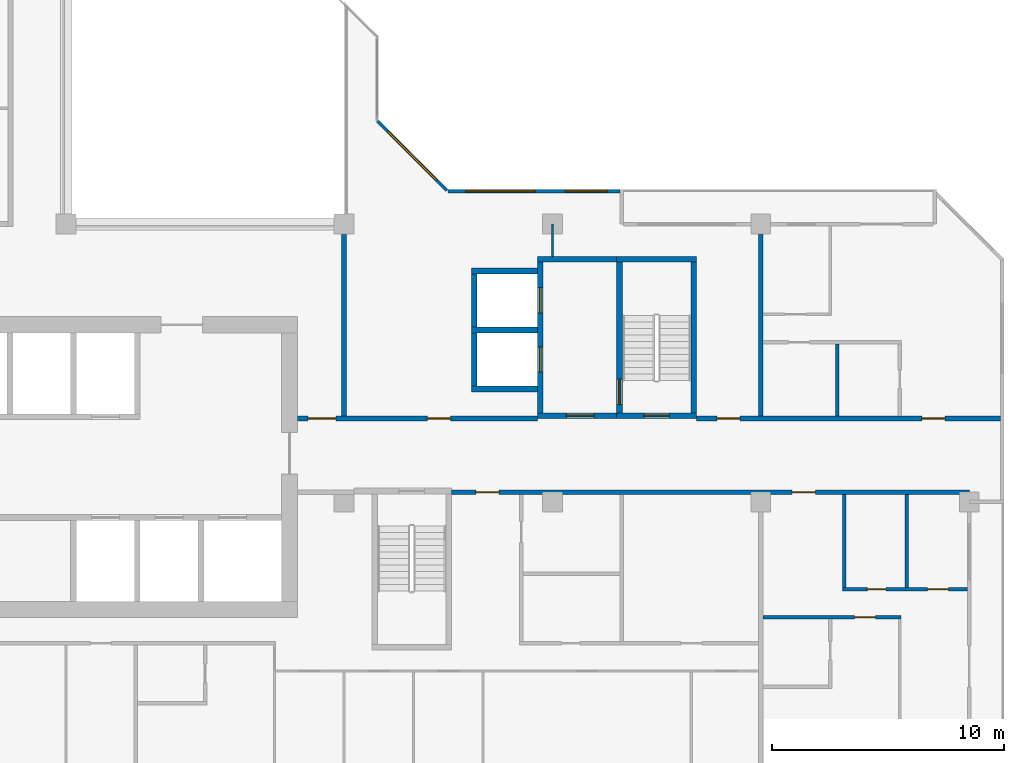
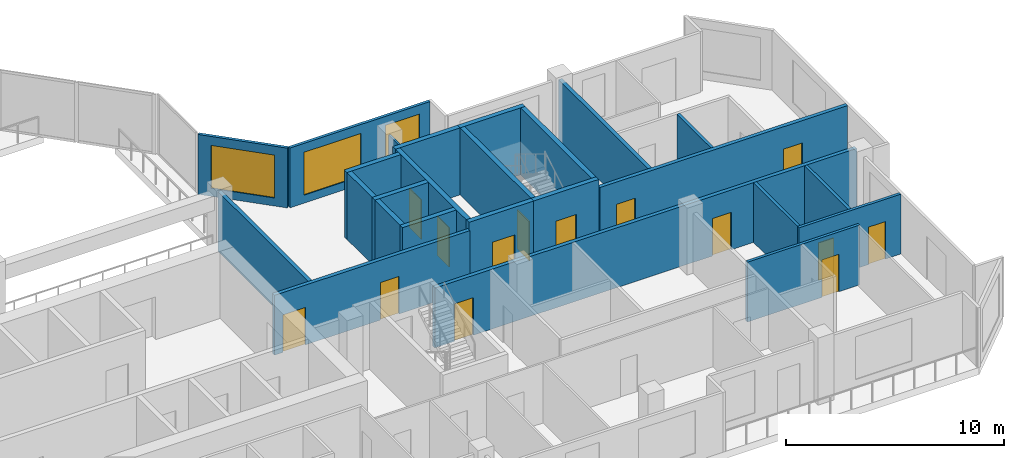
# One storey, part 7 of 14: 25 walls, 14 doors, 3 windows, 17 openings.
"""IFC4 building model written with IfcOpenShell, lengths in metres."""

from ifc_helpers import new_model, si_unit, direction, frame, frame_2d, origin, place, context, subcontext, project, spatial, rectangle, extrude, material, layer, layer_set, type_object, element, fill, save


model = new_model("IFC4")

# Units and contexts
model_context = context("Model", 3, precision=1e-05, world=origin(), true_north=direction((0.0, 1.0)))
body_context = subcontext(model_context, "Body", "Model", "MODEL_VIEW")
ifc_project = project(units=[si_unit("LENGTHUNIT", "METRE"), si_unit("AREAUNIT", "SQUARE_METRE"), si_unit("VOLUMEUNIT", "CUBIC_METRE"), si_unit("PLANEANGLEUNIT", "RADIAN"), si_unit("MASSUNIT", "GRAM", prefix="KILO")], contexts=[model_context])

# Site, building, storey
site_placement = place(None, origin())
site = spatial("IfcSite", under=ifc_project, at=site_placement, CompositionType="ELEMENT")
building_placement = place(site_placement, origin())
building = spatial("IfcBuilding", under=site, at=building_placement, Name="Chenar Terraces", CompositionType="ELEMENT")
storey_placement = place(building_placement, frame((0.0, 0.0, 241.64990234375)))
storey = spatial("IfcBuildingStorey", under=building, at=storey_placement, Name="L57", CompositionType="ELEMENT", Elevation=241.64990234375)

# Wall, opening, door
ifc_material_1 = material(Name="Concrete C60/75", Category="concrete")
ifc_layer_1 = layer(ifc_material_1, 0.25)
ifc_layer_set_1 = layer_set([ifc_layer_1], Name="Concrete C60/75")
wall_type_1 = type_object("IfcWallType", Name="Core wall 250 Concrete C60/75", PredefinedType="SHEAR", material=ifc_layer_set_1)
wall_1_placement = place(storey_placement, frame((47.77490234375, 15.72509765625, 0.0), z_axis=(0.0, 0.0, 1.0), x_axis=(1.0, 0.0, 0.0)))
wall_1 = element("IfcWall", 1, at=wall_1_placement, inside=storey, type_object=wall_type_1, Name="Core wall ST3_S L57", PredefinedType="SHEAR", context=body_context, shape_type="SweptSolid", body=[
    extrude(rectangle(XDim=3.4501953125, YDim=0.25, at=frame_2d((1.72509765625, 0.0))), origin(), (0.0, 0.0, 1.0), 3.75),
])
opening_1_placement = place(wall_1_placement, frame((1.175048828125, 0.0, 0.0)))
opening_1 = element("IfcOpeningElement", 2, at=opening_1_placement, cuts=wall_1, Name="Opening DL57-C8", PredefinedType="OPENING", context=body_context, shape_type="SweptSolid", body=[
    extrude(rectangle(XDim=1.10009765625, YDim=2.199951171875, at=frame_2d((0.550048828125, 1.10009765625))), frame((0.0, 0.135009765625, 0.0), z_axis=(0.0, -1.0, 0.0), x_axis=(1.0, 0.0, 0.0)), (0.0, 0.0, 1.0), 0.27001953125),
])
ifc_material_2 = material(Name="Steel-framed fire-resisting door leaf", Category="steel")
door_type_1 = type_object("IfcDoorType", Name="Stair fire door FD60 1100 x 2200", OperationType="SINGLE_SWING_LEFT", PredefinedType="DOOR", material=ifc_material_2)
door_1_placement = place(opening_1_placement, frame((1.10009765625, 0.0, 0.0), z_axis=(0.0, 0.0, 1.0), x_axis=(-1.0, 0.0, 0.0)))
door_1 = element("IfcDoor", 3, at=door_1_placement, inside=storey, type_object=door_type_1, Name="Stair door DL57-C8", OperationType="SINGLE_SWING_LEFT", OverallHeight=2.199951171875, OverallWidth=1.10009765625, PredefinedType="DOOR", context=body_context, shape_type="SweptSolid", body=[
    extrude(rectangle(XDim=1.10009765625, YDim=2.199951171875, at=frame_2d((0.550048828125, 1.10009765625))), frame((0.0, 0.02490234375, 0.0), z_axis=(0.0, -1.0, 0.0), x_axis=(1.0, 0.0, 0.0)), (0.0, 0.0, 1.0), 0.050048828125),
])
fill(opening_1, door_1)

# Wall
wall_2_placement = place(storey_placement, frame((47.77490234375, 22.47509765625, 0.0), z_axis=(0.0, 0.0, 1.0), x_axis=(1.0, 0.0, 0.0)))
element("IfcWall", 4, at=wall_2_placement, inside=storey, type_object=wall_type_1, Name="Core wall ST3_N L57", PredefinedType="SHEAR", context=body_context, shape_type="SweptSolid", body=[
    extrude(rectangle(XDim=3.4501953125, YDim=0.25, at=frame_2d((1.72509765625, 0.0))), origin(), (0.0, 0.0, 1.0), 3.75),
])

# Wall, opening, door
wall_3_placement = place(storey_placement, frame((47.89990234375, 15.85009765625, 0.0), z_axis=(0.0, 0.0, 1.0), x_axis=(0.0, 1.0, 0.0)))
wall_3 = element("IfcWall", 5, at=wall_3_placement, inside=storey, type_object=wall_type_1, Name="Core wall ST3_W L57", PredefinedType="SHEAR", context=body_context, shape_type="SweptSolid", body=[
    extrude(rectangle(XDim=6.5, YDim=0.25, at=frame_2d((3.25, 0.0))), origin(), (0.0, 0.0, 1.0), 3.75),
])
opening_2_placement = place(wall_3_placement, frame((0.35009765625, 0.0, 0.0)))
opening_2 = element("IfcOpeningElement", 6, at=opening_2_placement, cuts=wall_3, Name="Opening DL57-C11", PredefinedType="OPENING", context=body_context, shape_type="SweptSolid", body=[
    extrude(rectangle(XDim=1.10009765625, YDim=2.199951171875, at=frame_2d((0.550048828125, 1.10009765625))), frame((0.0, 0.135009765625, 0.0), z_axis=(0.0, -1.0, 0.0), x_axis=(1.0, 0.0, 0.0)), (0.0, 0.0, 1.0), 0.27001953125),
])
door_2_placement = place(opening_2_placement, frame((1.10009765625, 0.0, 0.0), z_axis=(0.0, 0.0, 1.0), x_axis=(-1.0, 0.0, 0.0)))
door_2 = element("IfcDoor", 7, at=door_2_placement, inside=storey, type_object=door_type_1, Name="Stair door DL57-C11", OperationType="SINGLE_SWING_RIGHT", OverallHeight=2.199951171875, OverallWidth=1.10009765625, PredefinedType="DOOR", context=body_context, shape_type="SweptSolid", body=[
    extrude(rectangle(XDim=1.10009765625, YDim=2.199951171875, at=frame_2d((0.550048828125, 1.10009765625))), frame((0.0, 0.02490234375, 0.0), z_axis=(0.0, -1.0, 0.0), x_axis=(1.0, 0.0, 0.0)), (0.0, 0.0, 1.0), 0.050048828125),
])
fill(opening_2, door_2)

# Wall
wall_4_placement = place(storey_placement, frame((51.10009765625, 15.85009765625, 0.0), z_axis=(0.0, 0.0, 1.0), x_axis=(0.0, 1.0, 0.0)))
element("IfcWall", 8, at=wall_4_placement, inside=storey, type_object=wall_type_1, Name="Core wall ST3_E L57", PredefinedType="SHEAR", context=body_context, shape_type="SweptSolid", body=[
    extrude(rectangle(XDim=6.5, YDim=0.25, at=frame_2d((3.25, 0.0))), origin(), (0.0, 0.0, 1.0), 3.75),
])

# Wall, opening, door
wall_5_placement = place(storey_placement, frame((44.35009765625, 15.72509765625, 0.0), z_axis=(0.0, 0.0, 1.0), x_axis=(1.0, 0.0, 0.0)))
wall_5 = element("IfcWall", 9, at=wall_5_placement, inside=storey, type_object=wall_type_1, Name="Core wall F3_LS L57", PredefinedType="SHEAR", context=body_context, shape_type="SweptSolid", body=[
    extrude(rectangle(XDim=3.4248046875, YDim=0.25, at=frame_2d((1.71240234375, 0.0))), origin(), (0.0, 0.0, 1.0), 3.75),
])
opening_3_placement = place(wall_5_placement, frame((1.25, 0.0, 0.0)))
opening_3 = element("IfcOpeningElement", 10, at=opening_3_placement, cuts=wall_5, Name="Opening DL57-C10", PredefinedType="OPENING", context=body_context, shape_type="SweptSolid", body=[
    extrude(rectangle(XDim=1.199951171875, YDim=2.199951171875, at=frame_2d((0.60009765625, 1.10009765625))), frame((0.0, 0.135009765625, 0.0), z_axis=(0.0, -1.0, 0.0), x_axis=(1.0, 0.0, 0.0)), (0.0, 0.0, 1.0), 0.27001953125),
])
ifc_material_3 = material(Name="Steel-framed fire-resisting door leaf", Category="steel")
door_type_2 = type_object("IfcDoorType", Name="Lobby fire door FD60 1200 x 2200", OperationType="SINGLE_SWING_LEFT", PredefinedType="DOOR", material=ifc_material_3)
door_3_placement = place(opening_3_placement, origin())
door_3 = element("IfcDoor", 11, at=door_3_placement, inside=storey, type_object=door_type_2, Name="Core door DL57-C10", OperationType="SINGLE_SWING_RIGHT", OverallHeight=2.199951171875, OverallWidth=1.199951171875, PredefinedType="DOOR", context=body_context, shape_type="SweptSolid", body=[
    extrude(rectangle(XDim=1.199951171875, YDim=2.199951171875, at=frame_2d((0.60009765625, 1.10009765625))), frame((0.0, 0.02490234375, 0.0), z_axis=(0.0, -1.0, 0.0), x_axis=(1.0, 0.0, 0.0)), (0.0, 0.0, 1.0), 0.050048828125),
])
fill(opening_3, door_3)

# Wall
wall_6_placement = place(storey_placement, frame((44.35009765625, 22.47509765625, 0.0), z_axis=(0.0, 0.0, 1.0), x_axis=(1.0, 0.0, 0.0)))
element("IfcWall", 12, at=wall_6_placement, inside=storey, type_object=wall_type_1, Name="Core wall F3_LN L57", PredefinedType="SHEAR", context=body_context, shape_type="SweptSolid", body=[
    extrude(rectangle(XDim=3.4248046875, YDim=0.25, at=frame_2d((1.71240234375, 0.0))), origin(), (0.0, 0.0, 1.0), 3.75),
])

# Wall, openings, doors
wall_7_placement = place(storey_placement, frame((44.47509765625, 15.85009765625, 0.0), z_axis=(0.0, 0.0, 1.0), x_axis=(0.0, 1.0, 0.0)))
wall_7 = element("IfcWall", 13, at=wall_7_placement, inside=storey, type_object=wall_type_1, Name="Core wall F3_LW L57", PredefinedType="SHEAR", context=body_context, shape_type="SweptSolid", body=[
    extrude(rectangle(XDim=6.5, YDim=0.25, at=frame_2d((3.25, 0.0))), origin(), (0.0, 0.0, 1.0), 3.75),
])
opening_4_placement = place(wall_7_placement, frame((1.75, 0.0, 0.0)))
opening_4 = element("IfcOpeningElement", 14, at=opening_4_placement, cuts=wall_7, Name="Opening DL57-LD8", PredefinedType="OPENING", context=body_context, shape_type="SweptSolid", body=[
    extrude(rectangle(XDim=1.10009765625, YDim=2.199951171875, at=frame_2d((0.550048828125, 1.10009765625))), frame((0.0, 0.135009765625, 0.0), z_axis=(0.0, -1.0, 0.0), x_axis=(1.0, 0.0, 0.0)), (0.0, 0.0, 1.0), 0.27001953125),
])
opening_5_placement = place(wall_7_placement, frame((4.300048828125, 0.0, 0.0)))
opening_5 = element("IfcOpeningElement", 15, at=opening_5_placement, cuts=wall_7, Name="Opening DL57-LD9", PredefinedType="OPENING", context=body_context, shape_type="SweptSolid", body=[
    extrude(rectangle(XDim=1.10009765625, YDim=2.199951171875, at=frame_2d((0.550048828125, 1.10009765625))), frame((0.0, 0.135009765625, 0.0), z_axis=(0.0, -1.0, 0.0), x_axis=(1.0, 0.0, 0.0)), (0.0, 0.0, 1.0), 0.27001953125),
])
ifc_material_4 = material(Name="Stainless steel", Category="steel")
door_type_3 = type_object("IfcDoorType", Name="Lift landing door 1100 x 2200 sliding", OperationType="DOUBLE_DOOR_SLIDING", PredefinedType="DOOR", material=ifc_material_4)
door_4_placement = place(opening_4_placement, origin())
door_4 = element("IfcDoor", 16, at=door_4_placement, inside=storey, type_object=door_type_3, Name="Landing door F3", OperationType="DOUBLE_DOOR_SLIDING", OverallHeight=2.199951171875, OverallWidth=1.10009765625, PredefinedType="DOOR", context=body_context, shape_type="SweptSolid", body=[
    extrude(rectangle(XDim=1.10009765625, YDim=2.199951171875, at=frame_2d((0.550048828125, 1.10009765625))), frame((0.0, 0.02490234375, 0.0), z_axis=(0.0, -1.0, 0.0), x_axis=(1.0, 0.0, 0.0)), (0.0, 0.0, 1.0), 0.050048828125),
])
fill(opening_4, door_4)
door_5_placement = place(opening_5_placement, origin())
door_5 = element("IfcDoor", 17, at=door_5_placement, inside=storey, type_object=door_type_3, Name="Landing door F4", OperationType="DOUBLE_DOOR_SLIDING", OverallHeight=2.199951171875, OverallWidth=1.10009765625, PredefinedType="DOOR", context=body_context, shape_type="SweptSolid", body=[
    extrude(rectangle(XDim=1.10009765625, YDim=2.199951171875, at=frame_2d((0.550048828125, 1.10009765625))), frame((0.0, 0.02490234375, 0.0), z_axis=(0.0, -1.0, 0.0), x_axis=(1.0, 0.0, 0.0)), (0.0, 0.0, 1.0), 0.050048828125),
])
fill(opening_5, door_5)

# Walls
for number, where, z_axis, x_axis, name in (
    (18, (41.5, 16.875, 0.0), (0.0, 0.0, 1.0), (1.0, 0.0, 0.0), "Core wall F3_SS L57"),
    (19, (41.5, 19.425048828125, 0.0), (0.0, 0.0, 1.0), (1.0, 0.0, 0.0), "Core wall F3_SM L57"),
    (20, (41.5, 21.97509765625, 0.0), (0.0, 0.0, 1.0), (1.0, 0.0, 0.0), "Core wall F4_SN L57"),
):
    element("IfcWall", number, at=place(storey_placement, frame(where, z_axis=z_axis, x_axis=x_axis)), inside=storey, type_object=wall_type_1, Name=name, PredefinedType="SHEAR", context=body_context, shape_type="SweptSolid", body=[
        extrude(rectangle(XDim=2.85009765625, YDim=0.25, at=frame_2d((1.425048828125, 0.0))), origin(), (0.0, 0.0, 1.0), 3.75),
    ])
for number, where, z_axis, x_axis, name in (
    (21, (41.625, 17.0, 0.0), (0.0, 0.0, 1.0), (0.0, 1.0, 0.0), "Core wall F3_SW L57"),
    (22, (41.625, 19.550048828125, 0.0), (0.0, 0.0, 1.0), (0.0, 1.0, 0.0), "Core wall F4_SW L57"),
):
    element("IfcWall", number, at=place(storey_placement, frame(where, z_axis=z_axis, x_axis=x_axis)), inside=storey, type_object=wall_type_1, Name=name, PredefinedType="SHEAR", context=body_context, shape_type="SweptSolid", body=[
        extrude(rectangle(XDim=2.300048828125, YDim=0.25, at=frame_2d((1.14990234375, 0.0))), origin(), (0.0, 0.0, 1.0), 3.75),
    ])

# Wall, openings, doors
ifc_material_5 = material(Name="Gypsum board on steel studs with fire boards", Category="steel")
ifc_layer_2 = layer(ifc_material_5, 0.199951171875)
ifc_layer_set_2 = layer_set([ifc_layer_2], Name="Gypsum board on steel studs with fire boards")
wall_type_2 = type_object("IfcWallType", Name="Corridor wall 200", PredefinedType="PARTITIONING", material=ifc_layer_set_2)
wall_8_placement = place(storey_placement, frame((34.0, 15.60009765625, 0.0), z_axis=(0.0, 0.0, 1.0), x_axis=(1.0, 0.0, 0.0)))
wall_8 = element("IfcWall", 23, at=wall_8_placement, inside=storey, type_object=wall_type_2, Name="Partition L57-066", PredefinedType="PARTITIONING", context=body_context, shape_type="SweptSolid", body=[
    extrude(rectangle(XDim=10.35009765625, YDim=0.199951171875, at=frame_2d((5.175048828125, 0.0))), origin(), (0.0, 0.0, 1.0), 3.35009765625),
])
opening_6_placement = place(wall_8_placement, frame((5.60009765625, 0.0, 0.0)))
opening_6 = element("IfcOpeningElement", 24, at=opening_6_placement, cuts=wall_8, Name="Opening DL57-3", PredefinedType="OPENING", context=body_context, shape_type="SweptSolid", body=[
    extrude(rectangle(XDim=1.0, YDim=2.10009765625, at=frame_2d((0.5, 1.050048828125))), frame((0.0, 0.10986328125, 0.0), z_axis=(0.0, -1.0, 0.0), x_axis=(1.0, 0.0, 0.0)), (0.0, 0.0, 1.0), 0.219970703125),
])
opening_7_placement = place(wall_8_placement, frame((0.449951171875, 0.0, 0.0)))
opening_7 = element("IfcOpeningElement", 25, at=opening_7_placement, cuts=wall_8, Name="Opening DL57-36", PredefinedType="OPENING", context=body_context, shape_type="SweptSolid", body=[
    extrude(rectangle(XDim=1.199951171875, YDim=2.10009765625, at=frame_2d((0.60009765625, 1.050048828125))), frame((0.0, 0.10986328125, 0.0), z_axis=(0.0, -1.0, 0.0), x_axis=(1.0, 0.0, 0.0)), (0.0, 0.0, 1.0), 0.219970703125),
])
ifc_material_6 = material(Name="Steel-framed fire-resisting door leaf", Category="steel")
door_type_4 = type_object("IfcDoorType", Name="Fire door FD60 1000 x 2100", OperationType="SINGLE_SWING_LEFT", PredefinedType="DOOR", material=ifc_material_6)
door_6_placement = place(opening_6_placement, origin())
door_6 = element("IfcDoor", 26, at=door_6_placement, inside=storey, type_object=door_type_4, Name="Door DL57-3", OperationType="SINGLE_SWING_RIGHT", OverallHeight=2.10009765625, OverallWidth=1.0, PredefinedType="DOOR", context=body_context, shape_type="SweptSolid", body=[
    extrude(rectangle(XDim=1.0, YDim=2.10009765625, at=frame_2d((0.5, 1.050048828125))), frame((0.0, 0.02490234375, 0.0), z_axis=(0.0, -1.0, 0.0), x_axis=(1.0, 0.0, 0.0)), (0.0, 0.0, 1.0), 0.050048828125),
])
fill(opening_6, door_6)
ifc_material_7 = material(Name="Steel-framed fire-resisting door leaf", Category="steel")
door_type_5 = type_object("IfcDoorType", Name="Fire door FD60 1200 x 2100", OperationType="SINGLE_SWING_LEFT", PredefinedType="DOOR", material=ifc_material_7)
door_7_placement = place(opening_7_placement, origin())
door_7 = element("IfcDoor", 27, at=door_7_placement, inside=storey, type_object=door_type_5, Name="Door DL57-36", OperationType="SINGLE_SWING_RIGHT", OverallHeight=2.10009765625, OverallWidth=1.199951171875, PredefinedType="DOOR", context=body_context, shape_type="SweptSolid", body=[
    extrude(rectangle(XDim=1.199951171875, YDim=2.10009765625, at=frame_2d((0.60009765625, 1.050048828125))), frame((0.0, 0.02490234375, 0.0), z_axis=(0.0, -1.0, 0.0), x_axis=(1.0, 0.0, 0.0)), (0.0, 0.0, 1.0), 0.050048828125),
])
fill(opening_7, door_7)

# Wall
wall_9_placement = place(storey_placement, frame((36.0, 15.699951171875, 0.0), z_axis=(0.0, 0.0, 1.0), x_axis=(0.0, 1.0, 0.0)))
element("IfcWall", 28, at=wall_9_placement, inside=storey, type_object=wall_type_2, Name="Partition L57-068", PredefinedType="PARTITIONING", context=body_context, shape_type="SweptSolid", body=[
    extrude(rectangle(XDim=8.300048828125, YDim=0.199951171875, at=frame_2d((4.14990234375, 0.0))), origin(), (0.0, 0.0, 1.0), 3.35009765625),
])

# Wall, openings, doors
wall_10_placement = place(storey_placement, frame((40.64990234375, 12.425048828125, 0.0), z_axis=(0.0, 0.0, 1.0), x_axis=(1.0, 0.0, 0.0)))
wall_10 = element("IfcWall", 29, at=wall_10_placement, inside=storey, type_object=wall_type_2, Name="Partition L57-070", PredefinedType="PARTITIONING", context=body_context, shape_type="SweptSolid", body=[
    extrude(rectangle(XDim=22.35009765625, YDim=0.199951171875, at=frame_2d((11.175048828125, 0.0))), origin(), (0.0, 0.0, 1.0), 3.35009765625),
])
opening_8_placement = place(wall_10_placement, frame((14.699951171875, 0.0, 0.0)))
opening_8 = element("IfcOpeningElement", 30, at=opening_8_placement, cuts=wall_10, Name="Opening DL57-12", PredefinedType="OPENING", context=body_context, shape_type="SweptSolid", body=[
    extrude(rectangle(XDim=1.0, YDim=2.10009765625, at=frame_2d((0.5, 1.050048828125))), frame((0.0, 0.10986328125, 0.0), z_axis=(0.0, -1.0, 0.0), x_axis=(1.0, 0.0, 0.0)), (0.0, 0.0, 1.0), 0.219970703125),
])
opening_9_placement = place(wall_10_placement, frame((1.050048828125, 0.0, 0.0)))
opening_9 = element("IfcOpeningElement", 31, at=opening_9_placement, cuts=wall_10, Name="Opening DL57-53", PredefinedType="OPENING", context=body_context, shape_type="SweptSolid", body=[
    extrude(rectangle(XDim=1.0, YDim=2.10009765625, at=frame_2d((0.5, 1.050048828125))), frame((0.0, 0.10986328125, 0.0), z_axis=(0.0, -1.0, 0.0), x_axis=(1.0, 0.0, 0.0)), (0.0, 0.0, 1.0), 0.219970703125),
])
ifc_material_8 = material(Name="Steel-framed fire-resisting door leaf", Category="steel")
door_type_6 = type_object("IfcDoorType", Name="Fire door FD30S 1000 x 2100", OperationType="SINGLE_SWING_LEFT", PredefinedType="DOOR", material=ifc_material_8)
door_8_placement = place(opening_8_placement, frame((1.0, 0.0, 0.0), z_axis=(0.0, 0.0, 1.0), x_axis=(-1.0, 0.0, 0.0)))
door_8 = element("IfcDoor", 32, at=door_8_placement, inside=storey, type_object=door_type_6, Name="Door DL57-12", OperationType="SINGLE_SWING_RIGHT", OverallHeight=2.10009765625, OverallWidth=1.0, PredefinedType="DOOR", context=body_context, shape_type="SweptSolid", body=[
    extrude(rectangle(XDim=1.0, YDim=2.10009765625, at=frame_2d((0.5, 1.050048828125))), frame((0.0, 0.02490234375, 0.0), z_axis=(0.0, -1.0, 0.0), x_axis=(1.0, 0.0, 0.0)), (0.0, 0.0, 1.0), 0.050048828125),
])
fill(opening_8, door_8)
door_9_placement = place(opening_9_placement, origin())
door_9 = element("IfcDoor", 33, at=door_9_placement, inside=storey, type_object=door_type_6, Name="Door DL57-53", OperationType="SINGLE_SWING_LEFT", OverallHeight=2.10009765625, OverallWidth=1.0, PredefinedType="DOOR", context=body_context, shape_type="SweptSolid", body=[
    extrude(rectangle(XDim=1.0, YDim=2.10009765625, at=frame_2d((0.5, 1.050048828125))), frame((0.0, 0.02490234375, 0.0), z_axis=(0.0, -1.0, 0.0), x_axis=(1.0, 0.0, 0.0)), (0.0, 0.0, 1.0), 0.050048828125),
])
fill(opening_9, door_9)

wall_11_placement = place(storey_placement, frame((51.22509765625, 15.60009765625, 0.0), z_axis=(0.0, 0.0, 1.0), x_axis=(1.0, 0.0, 0.0)))
wall_11 = element("IfcWall", 34, at=wall_11_placement, inside=storey, type_object=wall_type_2, Name="Partition L57-078", PredefinedType="PARTITIONING", context=body_context, shape_type="SweptSolid", body=[
    extrude(rectangle(XDim=13.125, YDim=0.199951171875, at=frame_2d((6.5625, 0.0))), origin(), (0.0, 0.0, 1.0), 3.35009765625),
])
opening_10_placement = place(wall_11_placement, frame((9.72509765625, 0.0, 0.0)))
opening_10 = element("IfcOpeningElement", 35, at=opening_10_placement, cuts=wall_11, Name="Opening DL57-7", PredefinedType="OPENING", context=body_context, shape_type="SweptSolid", body=[
    extrude(rectangle(XDim=1.0, YDim=2.10009765625, at=frame_2d((0.5, 1.050048828125))), frame((0.0, 0.10986328125, 0.0), z_axis=(0.0, -1.0, 0.0), x_axis=(1.0, 0.0, 0.0)), (0.0, 0.0, 1.0), 0.219970703125),
])
opening_11_placement = place(wall_11_placement, frame((0.875, 0.0, 0.0)))
opening_11 = element("IfcOpeningElement", 36, at=opening_11_placement, cuts=wall_11, Name="Opening DL57-40", PredefinedType="OPENING", context=body_context, shape_type="SweptSolid", body=[
    extrude(rectangle(XDim=1.0, YDim=2.10009765625, at=frame_2d((0.5, 1.050048828125))), frame((0.0, 0.10986328125, 0.0), z_axis=(0.0, -1.0, 0.0), x_axis=(1.0, 0.0, 0.0)), (0.0, 0.0, 1.0), 0.219970703125),
])
door_10_placement = place(opening_10_placement, origin())
door_10 = element("IfcDoor", 37, at=door_10_placement, inside=storey, type_object=door_type_6, Name="Door DL57-7", OperationType="SINGLE_SWING_LEFT", OverallHeight=2.10009765625, OverallWidth=1.0, PredefinedType="DOOR", context=body_context, shape_type="SweptSolid", body=[
    extrude(rectangle(XDim=1.0, YDim=2.10009765625, at=frame_2d((0.5, 1.050048828125))), frame((0.0, 0.02490234375, 0.0), z_axis=(0.0, -1.0, 0.0), x_axis=(1.0, 0.0, 0.0)), (0.0, 0.0, 1.0), 0.050048828125),
])
fill(opening_10, door_10)
door_11_placement = place(opening_11_placement, origin())
door_11 = element("IfcDoor", 38, at=door_11_placement, inside=storey, type_object=door_type_6, Name="Door DL57-40", OperationType="SINGLE_SWING_RIGHT", OverallHeight=2.10009765625, OverallWidth=1.0, PredefinedType="DOOR", context=body_context, shape_type="SweptSolid", body=[
    extrude(rectangle(XDim=1.0, YDim=2.10009765625, at=frame_2d((0.5, 1.050048828125))), frame((0.0, 0.02490234375, 0.0), z_axis=(0.0, -1.0, 0.0), x_axis=(1.0, 0.0, 0.0)), (0.0, 0.0, 1.0), 0.050048828125),
])
fill(opening_11, door_11)

# Wall, openings, windows
ifc_material_9 = material(Name="Aluminium framed glazing", Category="aluminium")
ifc_layer_3 = layer(ifc_material_9, 0.14990234375)
ifc_layer_set_3 = layer_set([ifc_layer_3], Name="Aluminium framed glazing")
wall_type_3 = type_object("IfcWallType", Name="Glazed flush facade wall 150", PredefinedType="SOLIDWALL", material=ifc_layer_set_3)
wall_12_placement = place(storey_placement, frame((47.925048828125, 25.425048828125, 0.0), z_axis=(0.0, 0.0, 1.0), x_axis=(-1.0, 0.0, 0.0)))
wall_12 = element("IfcWall", 39, at=wall_12_placement, inside=storey, type_object=wall_type_3, Name="Glazed flush facade wall", PredefinedType="SOLIDWALL", context=body_context, shape_type="SweptSolid", body=[
    extrude(rectangle(XDim=7.425048828125, YDim=0.14990234375, at=frame_2d((3.71240234375, 0.0))), origin(), (0.0, 0.0, 1.0), 3.35009765625),
])
opening_12_placement = place(wall_12_placement, frame((0.5625, 0.0, 0.449951171875)))
opening_12 = element("IfcOpeningElement", 40, at=opening_12_placement, cuts=wall_12, Name="Opening W180x240", PredefinedType="OPENING", context=body_context, shape_type="SweptSolid", body=[
    extrude(rectangle(XDim=1.800048828125, YDim=2.39990234375, at=frame_2d((0.89990234375, 1.199951171875))), frame((0.0, 0.0849609375, 0.0), z_axis=(0.0, -1.0, 0.0), x_axis=(1.0, 0.0, 0.0)), (0.0, 0.0, 1.0), 0.169921875),
])
opening_13_placement = place(wall_12_placement, frame((3.675048828125, 0.0, 0.449951171875)))
opening_13 = element("IfcOpeningElement", 41, at=opening_13_placement, cuts=wall_12, Name="Opening W300x240", PredefinedType="OPENING", context=body_context, shape_type="SweptSolid", body=[
    extrude(rectangle(XDim=3.0, YDim=2.39990234375, at=frame_2d((1.5, 1.199951171875))), frame((0.0, 0.0849609375, 0.0), z_axis=(0.0, -1.0, 0.0), x_axis=(1.0, 0.0, 0.0)), (0.0, 0.0, 1.0), 0.169921875),
])
ifc_material_10 = material(Name="Low emissivity double glazing, aluminium frame", Category="aluminium")
window_type_1 = type_object("IfcWindowType", Name="Fixed light 1800 x 2400", PartitioningType="SINGLE_PANEL", PredefinedType="WINDOW", material=ifc_material_10)
window_1_placement = place(opening_12_placement, origin())
window_1 = element("IfcWindow", 42, at=window_1_placement, inside=storey, type_object=window_type_1, Name="Window", OverallHeight=2.39990234375, OverallWidth=1.800048828125, PartitioningType="SINGLE_PANEL", PredefinedType="WINDOW", context=body_context, shape_type="SweptSolid", body=[
    extrude(rectangle(XDim=1.800048828125, YDim=2.39990234375, at=frame_2d((0.89990234375, 1.199951171875))), frame((0.0, 0.030029296875, 0.0), z_axis=(0.0, -1.0, 0.0), x_axis=(1.0, 0.0, 0.0)), (0.0, 0.0, 1.0), 0.06005859375),
])
fill(opening_12, window_1)
ifc_material_11 = material(Name="Low emissivity double glazing, aluminium frame", Category="aluminium")
window_type_2 = type_object("IfcWindowType", Name="Fixed light 3000 x 2400", PartitioningType="SINGLE_PANEL", PredefinedType="WINDOW", material=ifc_material_11)
window_2_placement = place(opening_13_placement, origin())
window_2 = element("IfcWindow", 43, at=window_2_placement, inside=storey, type_object=window_type_2, Name="Window", OverallHeight=2.39990234375, OverallWidth=3.0, PartitioningType="SINGLE_PANEL", PredefinedType="WINDOW", context=body_context, shape_type="SweptSolid", body=[
    extrude(rectangle(XDim=3.0, YDim=2.39990234375, at=frame_2d((1.5, 1.199951171875))), frame((0.0, 0.030029296875, 0.0), z_axis=(0.0, -1.0, 0.0), x_axis=(1.0, 0.0, 0.0)), (0.0, 0.0, 1.0), 0.06005859375),
])
fill(opening_13, window_2)

# Wall
ifc_material_12 = material(Name="Gypsum board on steel studs", Category="steel")
ifc_layer_4 = layer(ifc_material_12, 0.10009765625)
ifc_layer_set_4 = layer_set([ifc_layer_4], Name="Gypsum board on steel studs")
wall_type_4 = type_object("IfcWallType", Name="Gypsum partition 100", PredefinedType="PARTITIONING", material=ifc_layer_set_4)
wall_13_placement = place(storey_placement, frame((45.0, 22.60009765625, 0.0), z_axis=(0.0, 0.0, 1.0), x_axis=(0.0, 1.0, 0.0)))
element("IfcWall", 44, at=wall_13_placement, inside=storey, type_object=wall_type_4, Name="Partition L57-075", PredefinedType="PARTITIONING", context=body_context, shape_type="SweptSolid", body=[
    extrude(rectangle(XDim=1.39990234375, YDim=0.10009765625, at=frame_2d((0.699951171875, 0.0))), origin(), (0.0, 0.0, 1.0), 3.35009765625),
])

# Wall, opening, window
ifc_material_13 = material(Name="Terracotta cladding on insulated backing", Category="masonry")
ifc_layer_5 = layer(ifc_material_13, 0.14990234375)
ifc_layer_set_5 = layer_set([ifc_layer_5], Name="Terracotta cladding on insulated backing")
wall_type_5 = type_object("IfcWallType", Name="Terracotta rainscreen wall 150", PredefinedType="SOLIDWALL", material=ifc_layer_set_5)
wall_14_placement = place(storey_placement, frame((40.447021484375, 25.447021484375, 0.0), z_axis=(0.0, 0.0, 1.0), x_axis=(-0.707106781187, 0.707106781187, 0.0)))
wall_14 = element("IfcWall", 45, at=wall_14_placement, inside=storey, type_object=wall_type_5, Name="Terracotta rainscreen wall", PredefinedType="SOLIDWALL", context=body_context, shape_type="SweptSolid", body=[
    extrude(rectangle(XDim=4.24267578125, YDim=0.14990234375, at=frame_2d((2.121337890625, 0.0))), origin(), (0.0, 0.0, 1.0), 3.35009765625),
])
opening_14_placement = place(wall_14_placement, frame((0.621337890625, 0.0, 0.449951171875)))
opening_14 = element("IfcOpeningElement", 46, at=opening_14_placement, cuts=wall_14, Name="Opening W300x240", PredefinedType="OPENING", context=body_context, shape_type="SweptSolid", body=[
    extrude(rectangle(XDim=3.0, YDim=2.39990234375, at=frame_2d((1.5, 1.199951171875))), frame((0.0, 0.0849609375, 0.0), z_axis=(0.0, -1.0, 0.0), x_axis=(1.0, 0.0, 0.0)), (0.0, 0.0, 1.0), 0.169921875),
])
window_3_placement = place(opening_14_placement, origin())
window_3 = element("IfcWindow", 47, at=window_3_placement, inside=storey, type_object=window_type_2, Name="Window", OverallHeight=2.39990234375, OverallWidth=3.0, PartitioningType="SINGLE_PANEL", PredefinedType="WINDOW", context=body_context, shape_type="SweptSolid", body=[
    extrude(rectangle(XDim=3.0, YDim=2.39990234375, at=frame_2d((1.5, 1.199951171875))), frame((0.0, 0.030029296875, 0.0), z_axis=(0.0, -1.0, 0.0), x_axis=(1.0, 0.0, 0.0)), (0.0, 0.0, 1.0), 0.06005859375),
])
fill(opening_14, window_3)

# Wall
ifc_material_14 = material(Name="Twin gypsum board on steel studs with mineral wool", Category="steel")
ifc_layer_6 = layer(ifc_material_14, 0.199951171875)
ifc_layer_set_6 = layer_set([ifc_layer_6], Name="Twin gypsum board on steel studs with mineral wool")
wall_type_6 = type_object("IfcWallType", Name="Unit demising wall 200", PredefinedType="PARTITIONING", material=ifc_layer_set_6)
wall_15_placement = place(storey_placement, frame((54.0, 15.699951171875, 0.0), z_axis=(0.0, 0.0, 1.0), x_axis=(0.0, 1.0, 0.0)))
element("IfcWall", 48, at=wall_15_placement, inside=storey, type_object=wall_type_6, Name="Partition L57-080", PredefinedType="PARTITIONING", context=body_context, shape_type="SweptSolid", body=[
    extrude(rectangle(XDim=8.22607421875, YDim=0.199951171875, at=frame_2d((4.113037109375, 0.0))), origin(), (0.0, 0.0, 1.0), 3.35009765625),
])

# Wall, opening, door
ifc_material_15 = material(Name="Moisture-resistant gypsum board on steel studs", Category="steel")
ifc_layer_7 = layer(ifc_material_15, 0.14990234375)
ifc_layer_set_7 = layer_set([ifc_layer_7], Name="Moisture-resistant gypsum board on steel studs")
wall_type_7 = type_object("IfcWallType", Name="Wet-room partition 150", PredefinedType="PARTITIONING", material=ifc_layer_set_7)
wall_16_placement = place(storey_placement, frame((54.10009765625, 7.02490234375, 0.0), z_axis=(0.0, 0.0, 1.0), x_axis=(1.0, 0.0, 0.0)))
wall_16 = element("IfcWall", 49, at=wall_16_placement, inside=storey, type_object=wall_type_7, Name="Partition L57-082", PredefinedType="PARTITIONING", context=body_context, shape_type="SweptSolid", body=[
    extrude(rectangle(XDim=5.949951171875, YDim=0.14990234375, at=frame_2d((2.97509765625, 0.0))), origin(), (0.0, 0.0, 1.0), 3.35009765625),
])
opening_15_placement = place(wall_16_placement, frame((3.949951171875, 0.0, 0.0)))
opening_15 = element("IfcOpeningElement", 50, at=opening_15_placement, cuts=wall_16, Name="Opening DL57-9", PredefinedType="OPENING", context=body_context, shape_type="SweptSolid", body=[
    extrude(rectangle(XDim=0.89990234375, YDim=2.10009765625, at=frame_2d((0.449951171875, 1.050048828125))), frame((0.0, 0.0849609375, 0.0), z_axis=(0.0, -1.0, 0.0), x_axis=(1.0, 0.0, 0.0)), (0.0, 0.0, 1.0), 0.169921875),
])
ifc_material_16 = material(Name="Veneered timber door leaf", Category="wood")
door_type_7 = type_object("IfcDoorType", Name="Door 900 x 2100", OperationType="SINGLE_SWING_LEFT", PredefinedType="DOOR", material=ifc_material_16)
door_12_placement = place(opening_15_placement, frame((0.89990234375, 0.0, 0.0), z_axis=(0.0, 0.0, 1.0), x_axis=(-1.0, 0.0, 0.0)))
door_12 = element("IfcDoor", 51, at=door_12_placement, inside=storey, type_object=door_type_7, Name="Door DL57-9", OperationType="SINGLE_SWING_LEFT", OverallHeight=2.10009765625, OverallWidth=0.89990234375, PredefinedType="DOOR", context=body_context, shape_type="SweptSolid", body=[
    extrude(rectangle(XDim=0.89990234375, YDim=2.10009765625, at=frame_2d((0.449951171875, 1.050048828125))), frame((0.0, 0.02490234375, 0.0), z_axis=(0.0, -1.0, 0.0), x_axis=(1.0, 0.0, 0.0)), (0.0, 0.0, 1.0), 0.050048828125),
])
fill(opening_15, door_12)

# Wall
wall_17_placement = place(storey_placement, frame((57.300048828125, 15.699951171875, 0.0), z_axis=(0.0, 0.0, 1.0), x_axis=(0.0, 1.0, 0.0)))
element("IfcWall", 52, at=wall_17_placement, inside=storey, type_object=wall_type_7, Name="Partition L57-087", PredefinedType="PARTITIONING", context=body_context, shape_type="SweptSolid", body=[
    extrude(rectangle(XDim=3.125, YDim=0.14990234375, at=frame_2d((1.5625, 0.0))), origin(), (0.0, 0.0, 1.0), 3.35009765625),
])

# Wall, openings, doors
wall_18_placement = place(storey_placement, frame((57.52490234375, 8.22509765625, 0.0), z_axis=(0.0, 0.0, 1.0), x_axis=(1.0, 0.0, 0.0)))
wall_18 = element("IfcWall", 53, at=wall_18_placement, inside=storey, type_object=wall_type_7, Name="Partition L57-088", PredefinedType="PARTITIONING", context=body_context, shape_type="SweptSolid", body=[
    extrude(rectangle(XDim=5.401123046875, YDim=0.14990234375, at=frame_2d((2.70068359375, 0.0))), origin(), (0.0, 0.0, 1.0), 3.35009765625),
])
opening_16_placement = place(wall_18_placement, frame((1.074951171875, 0.0, 0.0)))
opening_16 = element("IfcOpeningElement", 54, at=opening_16_placement, cuts=wall_18, Name="Opening DL57-8", PredefinedType="OPENING", context=body_context, shape_type="SweptSolid", body=[
    extrude(rectangle(XDim=0.800048828125, YDim=2.10009765625, at=frame_2d((0.39990234375, 1.050048828125))), frame((0.0, 0.0849609375, 0.0), z_axis=(0.0, -1.0, 0.0), x_axis=(1.0, 0.0, 0.0)), (0.0, 0.0, 1.0), 0.169921875),
])
opening_17_placement = place(wall_18_placement, frame((3.675048828125, 0.0, 0.0)))
opening_17 = element("IfcOpeningElement", 55, at=opening_17_placement, cuts=wall_18, Name="Opening DL57-11", PredefinedType="OPENING", context=body_context, shape_type="SweptSolid", body=[
    extrude(rectangle(XDim=0.89990234375, YDim=2.10009765625, at=frame_2d((0.449951171875, 1.050048828125))), frame((0.0, 0.0849609375, 0.0), z_axis=(0.0, -1.0, 0.0), x_axis=(1.0, 0.0, 0.0)), (0.0, 0.0, 1.0), 0.169921875),
])
ifc_material_17 = material(Name="Veneered timber door leaf", Category="wood")
door_type_8 = type_object("IfcDoorType", Name="Door 800 x 2100", OperationType="SINGLE_SWING_LEFT", PredefinedType="DOOR", material=ifc_material_17)
door_13_placement = place(opening_16_placement, origin())
door_13 = element("IfcDoor", 56, at=door_13_placement, inside=storey, type_object=door_type_8, Name="Door DL57-8", OperationType="SINGLE_SWING_RIGHT", OverallHeight=2.10009765625, OverallWidth=0.800048828125, PredefinedType="DOOR", context=body_context, shape_type="SweptSolid", body=[
    extrude(rectangle(XDim=0.800048828125, YDim=2.10009765625, at=frame_2d((0.39990234375, 1.050048828125))), frame((0.0, 0.02490234375, 0.0), z_axis=(0.0, -1.0, 0.0), x_axis=(1.0, 0.0, 0.0)), (0.0, 0.0, 1.0), 0.050048828125),
])
fill(opening_16, door_13)
door_14_placement = place(opening_17_placement, origin())
door_14 = element("IfcDoor", 57, at=door_14_placement, inside=storey, type_object=door_type_7, Name="Door DL57-11", OperationType="SINGLE_SWING_LEFT", OverallHeight=2.10009765625, OverallWidth=0.89990234375, PredefinedType="DOOR", context=body_context, shape_type="SweptSolid", body=[
    extrude(rectangle(XDim=0.89990234375, YDim=2.10009765625, at=frame_2d((0.449951171875, 1.050048828125))), frame((0.0, 0.02490234375, 0.0), z_axis=(0.0, -1.0, 0.0), x_axis=(1.0, 0.0, 0.0)), (0.0, 0.0, 1.0), 0.050048828125),
])
fill(opening_17, door_14)

# Walls
for number, where, z_axis, x_axis, name in (
    (58, (57.60009765625, 8.300048828125, 0.0), (0.0, 0.0, 1.0), (0.0, 1.0, 0.0), "Partition L57-089"),
    (59, (60.300048828125, 8.300048828125, 0.0), (0.0, 0.0, 1.0), (0.0, 1.0, 0.0), "Partition L57-092"),
):
    element("IfcWall", number, at=place(storey_placement, frame(where, z_axis=z_axis, x_axis=x_axis)), inside=storey, type_object=wall_type_7, Name=name, PredefinedType="PARTITIONING", context=body_context, shape_type="SweptSolid", body=[
        extrude(rectangle(XDim=4.02490234375, YDim=0.14990234375, at=frame_2d((2.012451171875, 0.0))), origin(), (0.0, 0.0, 1.0), 3.35009765625),
    ])

save(model, "model.ifc")
